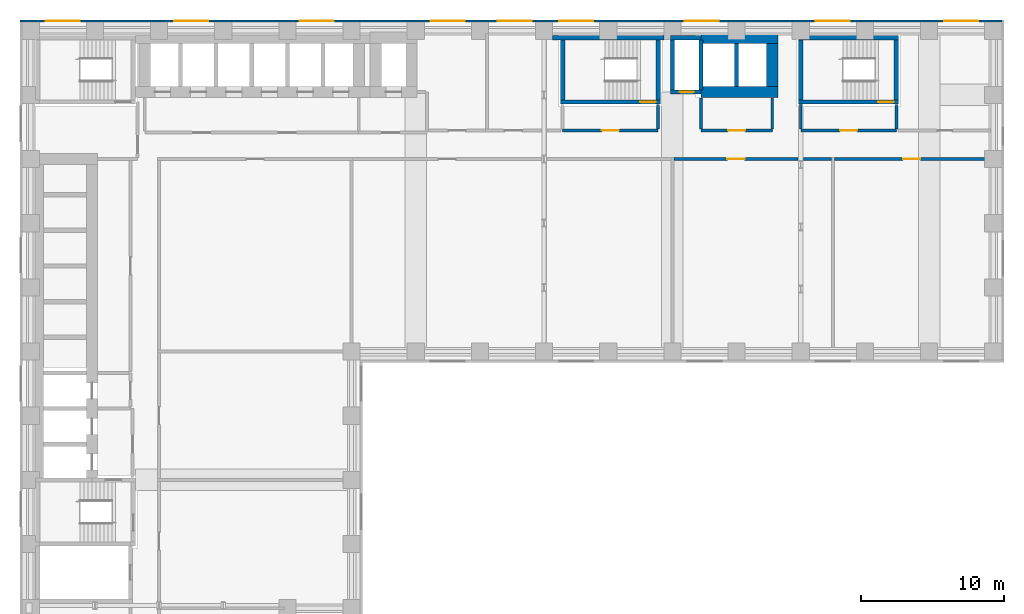
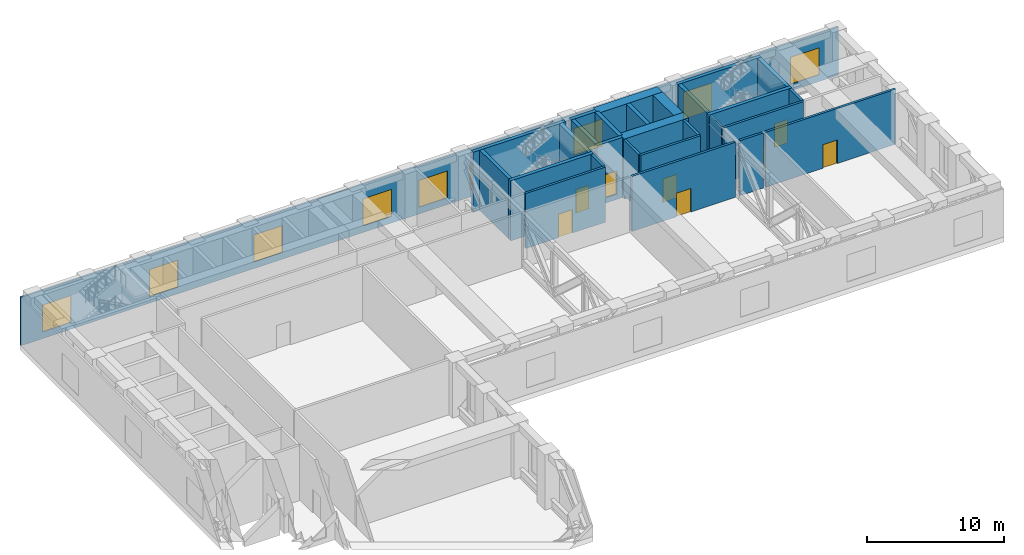
# One storey, part 8 of 13: 28 walls, 9 windows, 8 doors, 17 openings.
"""IFC4 building model written with IfcOpenShell, lengths in metres."""

from ifc_helpers import new_model, si_unit, direction, frame, frame_2d, origin, place, context, subcontext, project, spatial, rectangle, extrude, material, layer, layer_set, type_object, element, fill, save


model = new_model("IFC4")

# Units and contexts
model_context = context("Model", 3, precision=1e-05, world=origin(), true_north=direction((0.0, 1.0)))
body_context = subcontext(model_context, "Body", "Model", "MODEL_VIEW")
ifc_project = project(units=[si_unit("LENGTHUNIT", "METRE"), si_unit("AREAUNIT", "SQUARE_METRE"), si_unit("VOLUMEUNIT", "CUBIC_METRE"), si_unit("PLANEANGLEUNIT", "RADIAN"), si_unit("MASSUNIT", "GRAM", prefix="KILO")], contexts=[model_context])

# Site, building, storey
site_placement = place(None, origin())
site = spatial("IfcSite", under=ifc_project, at=site_placement, CompositionType="ELEMENT")
building_placement = place(site_placement, origin())
building = spatial("IfcBuilding", under=site, at=building_placement, Name="Firuza Court", CompositionType="ELEMENT")
storey_placement = place(building_placement, frame((0.0, 0.0, 108.199951171875)))
storey = spatial("IfcBuildingStorey", under=building, at=storey_placement, Name="L27", CompositionType="ELEMENT", Elevation=108.199951171875)

# Wall
ifc_material_1 = material(Name="Concrete C60/75", Category="concrete")
ifc_layer_1 = layer(ifc_material_1, 0.300048828125)
ifc_layer_set_1 = layer_set([ifc_layer_1], Name="Concrete C60/75")
wall_type_1 = type_object("IfcWallType", Name="Core wall 300 C60/75", PredefinedType="SHEAR", material=ifc_layer_set_1)
wall_1_placement = place(storey_placement, frame((36.60009765625, 58.0, -0.449951171875), z_axis=(0.0, 0.0, 1.0), x_axis=(1.0, 0.0, 0.0)))
element("IfcWall", 1, at=wall_1_placement, inside=storey, type_object=wall_type_1, Name="Core wall stair L27", PredefinedType="SHEAR", context=body_context, shape_type="SweptSolid", body=[
    extrude(rectangle(XDim=7.7998046875, YDim=0.300048828125, at=frame_2d((3.89990234375, 0.0))), origin(), (0.0, 0.0, 1.0), 5.35009765625),
])

# Wall, opening, door
wall_2_placement = place(storey_placement, frame((37.14990234375, 53.5, -0.449951171875), z_axis=(0.0, 0.0, 1.0), x_axis=(1.0, 0.0, 0.0)))
wall_2 = element("IfcWall", 2, at=wall_2_placement, inside=storey, type_object=wall_type_1, Name="Core wall stair L27", PredefinedType="SHEAR", context=body_context, shape_type="SweptSolid", body=[
    extrude(rectangle(XDim=7.0, YDim=0.300048828125, at=frame_2d((3.5, 0.0))), origin(), (0.0, 0.0, 1.0), 5.35009765625),
])
opening_1_placement = place(wall_2_placement, frame((5.580078125, 0.0, 0.449951171875)))
opening_1 = element("IfcOpeningElement", 3, at=opening_1_placement, cuts=wall_2, Name="Opening D27013", PredefinedType="OPENING", context=body_context, shape_type="SweptSolid", body=[
    extrude(rectangle(XDim=1.10009765625, YDim=2.10009765625, at=frame_2d((0.550048828125, 1.050048828125))), frame((0.0, 0.162109375, 0.0), z_axis=(0.0, -1.0, 0.0), x_axis=(1.0, 0.0, 0.0)), (0.0, 0.0, 1.0), 0.323974609375),
])
ifc_material_2 = material(Name="Timber door leaf in hardwood frame", Category="wood")
door_type_1 = type_object("IfcDoorType", Name="Stair door 1100", OperationType="SINGLE_SWING_LEFT", PredefinedType="DOOR", material=ifc_material_2)
door_1_placement = place(opening_1_placement, origin())
door_1 = element("IfcDoor", 4, at=door_1_placement, inside=storey, type_object=door_type_1, Name="Stair door S1", OperationType="SINGLE_SWING_RIGHT", OverallHeight=2.10009765625, OverallWidth=1.10009765625, PredefinedType="DOOR", context=body_context, shape_type="SweptSolid", body=[
    extrude(rectangle(XDim=1.10009765625, YDim=2.10009765625, at=frame_2d((0.550048828125, 1.050048828125))), frame((0.0, 0.02490234375, 0.0), z_axis=(0.0, -1.0, 0.0), x_axis=(1.0, 0.0, 0.0)), (0.0, 0.0, 1.0), 0.050048828125),
])
fill(opening_1, door_1)

# Walls
for number, where, z_axis, x_axis, name in (
    (5, (37.300048828125, 53.64990234375, -0.449951171875), (0.0, 0.0, 1.0), (0.0, 1.0, 0.0), "Core wall stair L27"),
    (6, (44.0, 53.64990234375, -0.449951171875), (0.0, 0.0, 1.0), (0.0, 1.0, 0.0), "Core wall stair L27"),
):
    element("IfcWall", number, at=place(storey_placement, frame(where, z_axis=z_axis, x_axis=x_axis)), inside=storey, type_object=wall_type_1, Name=name, PredefinedType="SHEAR", context=body_context, shape_type="SweptSolid", body=[
        extrude(rectangle(XDim=4.2001953125, YDim=0.300048828125, at=frame_2d((2.10009765625, 0.0))), origin(), (0.0, 0.0, 1.0), 5.35009765625),
    ])

# Wall, opening, door
wall_3_placement = place(storey_placement, frame((44.85009765625, 54.199951171875, -0.449951171875), z_axis=(0.0, 0.0, 1.0), x_axis=(1.0, 0.0, 0.0)))
wall_3 = element("IfcWall", 7, at=wall_3_placement, inside=storey, type_object=wall_type_1, Name="Core wall riser L27", PredefinedType="SHEAR", context=body_context, shape_type="SweptSolid", body=[
    extrude(rectangle(XDim=2.14990234375, YDim=0.300048828125, at=frame_2d((1.074951171875, 0.0))), origin(), (0.0, 0.0, 1.0), 5.35009765625),
])
opening_2_placement = place(wall_3_placement, frame((0.64990234375, 0.0, 0.449951171875)))
opening_2 = element("IfcOpeningElement", 8, at=opening_2_placement, cuts=wall_3, Name="Opening D27011", PredefinedType="OPENING", context=body_context, shape_type="SweptSolid", body=[
    extrude(rectangle(XDim=1.0, YDim=2.10009765625, at=frame_2d((0.5, 1.050048828125))), frame((0.0, 0.162109375, 0.0), z_axis=(0.0, -1.0, 0.0), x_axis=(1.0, 0.0, 0.0)), (0.0, 0.0, 1.0), 0.323974609375),
])
ifc_material_3 = material(Name="Timber door leaf in hardwood frame", Category="wood")
door_type_2 = type_object("IfcDoorType", Name="Riser door 1000", OperationType="SINGLE_SWING_LEFT", PredefinedType="DOOR", material=ifc_material_3)
door_2_placement = place(opening_2_placement, frame((1.0, 0.0, 0.0), z_axis=(0.0, 0.0, 1.0), x_axis=(-1.0, 0.0, 0.0)))
door_2 = element("IfcDoor", 9, at=door_2_placement, inside=storey, type_object=door_type_2, Name="Riser door R3", OperationType="SINGLE_SWING_RIGHT", OverallHeight=2.10009765625, OverallWidth=1.0, PredefinedType="DOOR", context=body_context, shape_type="SweptSolid", body=[
    extrude(rectangle(XDim=1.0, YDim=2.10009765625, at=frame_2d((0.5, 1.050048828125))), frame((0.0, 0.02490234375, 0.0), z_axis=(0.0, -1.0, 0.0), x_axis=(1.0, 0.0, 0.0)), (0.0, 0.0, 1.0), 0.050048828125),
])
fill(opening_2, door_2)

# Walls
wall_4_placement = place(storey_placement, frame((44.85009765625, 58.0, -0.449951171875), z_axis=(0.0, 0.0, 1.0), x_axis=(1.0, 0.0, 0.0)))
element("IfcWall", 10, at=wall_4_placement, inside=storey, type_object=wall_type_1, Name="Core wall riser L27", PredefinedType="SHEAR", context=body_context, shape_type="SweptSolid", body=[
    extrude(rectangle(XDim=2.14990234375, YDim=0.300048828125, at=frame_2d((1.074951171875, 0.0))), origin(), (0.0, 0.0, 1.0), 5.35009765625),
])
for number, where, z_axis, x_axis, name in (
    (11, (45.0, 54.35009765625, -0.449951171875), (0.0, 0.0, 1.0), (0.0, 1.0, 0.0), "Core wall riser L27"),
    (12, (47.0, 54.35009765625, -0.449951171875), (0.0, 0.0, 1.0), (0.0, 1.0, 0.0), "Core wall lift shaft L27"),
):
    element("IfcWall", number, at=place(storey_placement, frame(where, z_axis=z_axis, x_axis=x_axis)), inside=storey, type_object=wall_type_1, Name=name, PredefinedType="SHEAR", context=body_context, shape_type="SweptSolid", body=[
        extrude(rectangle(XDim=3.5, YDim=0.300048828125, at=frame_2d((1.75, 0.0))), origin(), (0.0, 0.0, 1.0), 5.35009765625),
    ])
wall_5_placement = place(storey_placement, frame((49.5, 54.60009765625, -0.449951171875), z_axis=(0.0, 0.0, 1.0), x_axis=(0.0, 1.0, 0.0)))
element("IfcWall", 13, at=wall_5_placement, inside=storey, type_object=wall_type_1, Name="Core wall lift shaft L27", PredefinedType="SHEAR", context=body_context, shape_type="SweptSolid", body=[
    extrude(rectangle(XDim=3.0, YDim=0.300048828125, at=frame_2d((1.5, 0.0))), origin(), (0.0, 0.0, 1.0), 5.35009765625),
])

# Wall, opening, door
wall_6_placement = place(storey_placement, frame((53.85009765625, 53.5, -0.449951171875), z_axis=(0.0, 0.0, 1.0), x_axis=(1.0, 0.0, 0.0)))
wall_6 = element("IfcWall", 14, at=wall_6_placement, inside=storey, type_object=wall_type_1, Name="Core wall stair L27", PredefinedType="SHEAR", context=body_context, shape_type="SweptSolid", body=[
    extrude(rectangle(XDim=7.0, YDim=0.300048828125, at=frame_2d((3.5, 0.0))), origin(), (0.0, 0.0, 1.0), 5.35009765625),
])
opening_3_placement = place(wall_6_placement, frame((5.580078125, 0.0, 0.449951171875)))
opening_3 = element("IfcOpeningElement", 15, at=opening_3_placement, cuts=wall_6, Name="Opening D27017", PredefinedType="OPENING", context=body_context, shape_type="SweptSolid", body=[
    extrude(rectangle(XDim=1.10009765625, YDim=2.10009765625, at=frame_2d((0.550048828125, 1.050048828125))), frame((0.0, 0.162109375, 0.0), z_axis=(0.0, -1.0, 0.0), x_axis=(1.0, 0.0, 0.0)), (0.0, 0.0, 1.0), 0.323974609375),
])
door_3_placement = place(opening_3_placement, origin())
door_3 = element("IfcDoor", 16, at=door_3_placement, inside=storey, type_object=door_type_1, Name="Stair door S4", OperationType="SINGLE_SWING_RIGHT", OverallHeight=2.10009765625, OverallWidth=1.10009765625, PredefinedType="DOOR", context=body_context, shape_type="SweptSolid", body=[
    extrude(rectangle(XDim=1.10009765625, YDim=2.10009765625, at=frame_2d((0.550048828125, 1.050048828125))), frame((0.0, 0.02490234375, 0.0), z_axis=(0.0, -1.0, 0.0), x_axis=(1.0, 0.0, 0.0)), (0.0, 0.0, 1.0), 0.050048828125),
])
fill(opening_3, door_3)

# Walls
wall_7_placement = place(storey_placement, frame((53.85009765625, 58.0, -0.449951171875), z_axis=(0.0, 0.0, 1.0), x_axis=(1.0, 0.0, 0.0)))
element("IfcWall", 17, at=wall_7_placement, inside=storey, type_object=wall_type_1, Name="Core wall stair L27", PredefinedType="SHEAR", context=body_context, shape_type="SweptSolid", body=[
    extrude(rectangle(XDim=7.0, YDim=0.300048828125, at=frame_2d((3.5, 0.0))), origin(), (0.0, 0.0, 1.0), 5.35009765625),
])
for number, where, z_axis, x_axis, name in (
    (18, (54.0, 53.64990234375, -0.449951171875), (0.0, 0.0, 1.0), (0.0, 1.0, 0.0), "Core wall stair L27"),
    (19, (60.699951171875, 53.64990234375, -0.449951171875), (0.0, 0.0, 1.0), (0.0, 1.0, 0.0), "Core wall stair L27"),
):
    element("IfcWall", number, at=place(storey_placement, frame(where, z_axis=z_axis, x_axis=x_axis)), inside=storey, type_object=wall_type_1, Name=name, PredefinedType="SHEAR", context=body_context, shape_type="SweptSolid", body=[
        extrude(rectangle(XDim=4.2001953125, YDim=0.300048828125, at=frame_2d((2.10009765625, 0.0))), origin(), (0.0, 0.0, 1.0), 5.35009765625),
    ])
ifc_layer_2 = layer(ifc_material_1, 0.800048828125)
ifc_layer_set_2 = layer_set([ifc_layer_2], Name="Concrete C60/75")
wall_type_2 = type_object("IfcWallType", Name="Core wall 800 C60/75", PredefinedType="SHEAR", material=ifc_layer_set_2)
for number, where, z_axis, x_axis, name in (
    (20, (47.0, 54.199951171875, -0.449951171875), (0.0, 0.0, 1.0), (1.0, 0.0, 0.0), "Core wall lift shaft L27"),
    (21, (47.0, 58.0, -0.449951171875), (0.0, 0.0, 1.0), (1.0, 0.0, 0.0), "Core wall lift shaft L27"),
):
    element("IfcWall", number, at=place(storey_placement, frame(where, z_axis=z_axis, x_axis=x_axis)), inside=storey, type_object=wall_type_2, Name=name, PredefinedType="SHEAR", context=body_context, shape_type="SweptSolid", body=[
        extrude(rectangle(XDim=5.39990234375, YDim=0.800048828125, at=frame_2d((2.699951171875, 0.0))), origin(), (0.0, 0.0, 1.0), 5.35009765625),
    ])
wall_8_placement = place(storey_placement, frame((52.0, 54.60009765625, -0.449951171875), z_axis=(0.0, 0.0, 1.0), x_axis=(0.0, 1.0, 0.0)))
element("IfcWall", 22, at=wall_8_placement, inside=storey, type_object=wall_type_2, Name="Core wall lift shaft L27", PredefinedType="SHEAR", context=body_context, shape_type="SweptSolid", body=[
    extrude(rectangle(XDim=3.0, YDim=0.800048828125, at=frame_2d((1.5, 0.0))), origin(), (0.0, 0.0, 1.0), 5.35009765625),
])

# Wall, opening, door
ifc_material_4 = material(Name="Blockwork, fire-rated", Category="masonry")
ifc_layer_3 = layer(ifc_material_4, 0.199951171875)
ifc_layer_set_3 = layer_set([ifc_layer_3], Name="Blockwork, fire-rated")
wall_type_3 = type_object("IfcWallType", Name="Plant room wall 200", PredefinedType="PARTITIONING", material=ifc_layer_set_3)
wall_9_placement = place(storey_placement, frame((45.10009765625, 49.5, 0.0), z_axis=(0.0, 0.0, 1.0), x_axis=(1.0, 0.0, 0.0)))
wall_9 = element("IfcWall", 23, at=wall_9_placement, inside=storey, type_object=wall_type_3, Name="Plant room wall 200 L27", PredefinedType="PARTITIONING", context=body_context, shape_type="SweptSolid", body=[
    extrude(rectangle(XDim=8.70751953125, YDim=0.199951171875, at=frame_2d((4.353759765625, 0.0))), origin(), (0.0, 0.0, 1.0), 4.900146484375),
])
opening_4_placement = place(wall_9_placement, frame((3.753662109375, 0.0, 0.0)))
opening_4 = element("IfcOpeningElement", 24, at=opening_4_placement, cuts=wall_9, Name="Opening D27029", PredefinedType="OPENING", context=body_context, shape_type="SweptSolid", body=[
    extrude(rectangle(XDim=1.199951171875, YDim=2.10009765625, at=frame_2d((0.60009765625, 1.050048828125))), frame((0.0, 0.11181640625, 0.0), z_axis=(0.0, -1.0, 0.0), x_axis=(1.0, 0.0, 0.0)), (0.0, 0.0, 1.0), 0.223876953125),
])
ifc_material_5 = material(Name="Timber door leaf in hardwood frame", Category="wood")
door_type_3 = type_object("IfcDoorType", Name="Plant room door 1200", OperationType="SINGLE_SWING_LEFT", PredefinedType="DOOR", material=ifc_material_5)
door_4_placement = place(opening_4_placement, frame((1.199951171875, 0.0, 0.0), z_axis=(0.0, 0.0, 1.0), x_axis=(-1.0, 0.0, 0.0)))
door_4 = element("IfcDoor", 25, at=door_4_placement, inside=storey, type_object=door_type_3, Name="Plant door", OperationType="SINGLE_SWING_RIGHT", OverallHeight=2.10009765625, OverallWidth=1.199951171875, PredefinedType="DOOR", context=body_context, shape_type="SweptSolid", body=[
    extrude(rectangle(XDim=1.199951171875, YDim=2.10009765625, at=frame_2d((0.60009765625, 1.050048828125))), frame((0.0, 0.02490234375, 0.0), z_axis=(0.0, -1.0, 0.0), x_axis=(1.0, 0.0, 0.0)), (0.0, 0.0, 1.0), 0.050048828125),
])
fill(opening_4, door_4)

# Wall
wall_10_placement = place(storey_placement, frame((54.1923828125, 49.5, 0.0), z_axis=(0.0, 0.0, 1.0), x_axis=(1.0, 0.0, 0.0)))
element("IfcWall", 26, at=wall_10_placement, inside=storey, type_object=wall_type_3, Name="Plant room wall 200 L27", PredefinedType="PARTITIONING", context=body_context, shape_type="SweptSolid", body=[
    extrude(rectangle(XDim=1.95751953125, YDim=0.199951171875, at=frame_2d((0.978759765625, 0.0))), origin(), (0.0, 0.0, 1.0), 4.900146484375),
])

# Wall, opening, door
wall_11_placement = place(storey_placement, frame((56.35009765625, 49.5, 0.0), z_axis=(0.0, 0.0, 1.0), x_axis=(1.0, 0.0, 0.0)))
wall_11 = element("IfcWall", 27, at=wall_11_placement, inside=storey, type_object=wall_type_3, Name="Plant room wall 200 L27", PredefinedType="PARTITIONING", context=body_context, shape_type="SweptSolid", body=[
    extrude(rectangle(XDim=10.95849609375, YDim=0.199951171875, at=frame_2d((5.479248046875, 0.0))), origin(), (0.0, 0.0, 1.0), 4.900146484375),
])
opening_5_placement = place(wall_11_placement, frame((4.8291015625, 0.0, 0.0)))
opening_5 = element("IfcOpeningElement", 28, at=opening_5_placement, cuts=wall_11, Name="Opening D27030", PredefinedType="OPENING", context=body_context, shape_type="SweptSolid", body=[
    extrude(rectangle(XDim=1.199951171875, YDim=2.10009765625, at=frame_2d((0.60009765625, 1.050048828125))), frame((0.0, 0.11181640625, 0.0), z_axis=(0.0, -1.0, 0.0), x_axis=(1.0, 0.0, 0.0)), (0.0, 0.0, 1.0), 0.223876953125),
])
door_5_placement = place(opening_5_placement, frame((1.199951171875, 0.0, 0.0), z_axis=(0.0, 0.0, 1.0), x_axis=(-1.0, 0.0, 0.0)))
door_5 = element("IfcDoor", 29, at=door_5_placement, inside=storey, type_object=door_type_3, Name="Plant door", OperationType="SINGLE_SWING_RIGHT", OverallHeight=2.10009765625, OverallWidth=1.199951171875, PredefinedType="DOOR", context=body_context, shape_type="SweptSolid", body=[
    extrude(rectangle(XDim=1.199951171875, YDim=2.10009765625, at=frame_2d((0.60009765625, 1.050048828125))), frame((0.0, 0.02490234375, 0.0), z_axis=(0.0, -1.0, 0.0), x_axis=(1.0, 0.0, 0.0)), (0.0, 0.0, 1.0), 0.050048828125),
])
fill(opening_5, door_5)

# Wall, openings, windows
ifc_material_6 = material(Name="Ceramic tile", Category="ceramic")
ifc_layer_4 = layer(ifc_material_6, 0.02001953125)
ifc_material_7 = material(Name="Mineral wool insulation", Category="insulation")
ifc_layer_5 = layer(ifc_material_7, 0.050048828125)
ifc_material_8 = material(Name="Concrete C40/50 precast", Category="concrete")
ifc_layer_6 = layer(ifc_material_8, 0.080078125)
ifc_layer_set_4 = layer_set([ifc_layer_4, ifc_layer_5, ifc_layer_6], Name="Concrete C40/50 precast")
wall_type_4 = type_object("IfcWallType", Name="Precast cladding wall with turquoise TILE PANEL face 150", PredefinedType="STANDARD", material=ifc_layer_set_4)
wall_12_placement = place(storey_placement, frame((68.10009765625, 59.175048828125, 0.0), z_axis=(0.0, 0.0, 1.0), x_axis=(-1.0, 0.0, 0.0)))
wall_12 = element("IfcWall", 30, at=wall_12_placement, inside=storey, type_object=wall_type_4, Name="Facade wall L27 N", PredefinedType="STANDARD", context=body_context, shape_type="SweptSolid", body=[
    extrude(rectangle(XDim=68.85009765625, YDim=0.14990234375, at=frame_2d((34.425048828125, 0.0))), origin(), (0.0, 0.0, 1.0), 4.300048828125),
])
opening_6_placement = place(wall_12_placement, frame((1.64990234375, 0.0, 0.60009765625)))
opening_6 = element("IfcOpeningElement", 31, at=opening_6_placement, cuts=wall_12, Name="Opening LV2", PredefinedType="OPENING", context=body_context, shape_type="SweptSolid", body=[
    extrude(rectangle(XDim=2.39990234375, YDim=2.39990234375, at=frame_2d((1.199951171875, 1.199951171875))), frame((0.0, 0.0869140625, 0.0), z_axis=(0.0, -1.0, 0.0), x_axis=(1.0, 0.0, 0.0)), (0.0, 0.0, 1.0), 0.173828125),
])
opening_7_placement = place(wall_12_placement, frame((10.64990234375, 0.0, 0.60009765625)))
opening_7 = element("IfcOpeningElement", 32, at=opening_7_placement, cuts=wall_12, Name="Opening LV2", PredefinedType="OPENING", context=body_context, shape_type="SweptSolid", body=[
    extrude(rectangle(XDim=2.39990234375, YDim=2.39990234375, at=frame_2d((1.199951171875, 1.199951171875))), frame((0.0, 0.0869140625, 0.0), z_axis=(0.0, -1.0, 0.0), x_axis=(1.0, 0.0, 0.0)), (0.0, 0.0, 1.0), 0.173828125),
])
opening_8_placement = place(wall_12_placement, frame((19.85009765625, 0.0, 0.60009765625)))
opening_8 = element("IfcOpeningElement", 33, at=opening_8_placement, cuts=wall_12, Name="Opening LV2", PredefinedType="OPENING", context=body_context, shape_type="SweptSolid", body=[
    extrude(rectangle(XDim=2.39990234375, YDim=2.39990234375, at=frame_2d((1.199951171875, 1.199951171875))), frame((0.0, 0.0869140625, 0.0), z_axis=(0.0, -1.0, 0.0), x_axis=(1.0, 0.0, 0.0)), (0.0, 0.0, 1.0), 0.173828125),
])
opening_9_placement = place(wall_12_placement, frame((28.64990234375, 0.0, 0.60009765625)))
opening_9 = element("IfcOpeningElement", 34, at=opening_9_placement, cuts=wall_12, Name="Opening LV2", PredefinedType="OPENING", context=body_context, shape_type="SweptSolid", body=[
    extrude(rectangle(XDim=2.39990234375, YDim=2.39990234375, at=frame_2d((1.199951171875, 1.199951171875))), frame((0.0, 0.0869140625, 0.0), z_axis=(0.0, -1.0, 0.0), x_axis=(1.0, 0.0, 0.0)), (0.0, 0.0, 1.0), 0.173828125),
])
opening_10_placement = place(wall_12_placement, frame((32.949951171875, 0.0, 0.60009765625)))
opening_10 = element("IfcOpeningElement", 35, at=opening_10_placement, cuts=wall_12, Name="Opening LV2", PredefinedType="OPENING", context=body_context, shape_type="SweptSolid", body=[
    extrude(rectangle(XDim=2.39990234375, YDim=2.39990234375, at=frame_2d((1.199951171875, 1.199951171875))), frame((0.0, 0.0869140625, 0.0), z_axis=(0.0, -1.0, 0.0), x_axis=(1.0, 0.0, 0.0)), (0.0, 0.0, 1.0), 0.173828125),
])
opening_11_placement = place(wall_12_placement, frame((37.64990234375, 0.0, 0.60009765625)))
opening_11 = element("IfcOpeningElement", 36, at=opening_11_placement, cuts=wall_12, Name="Opening LV2", PredefinedType="OPENING", context=body_context, shape_type="SweptSolid", body=[
    extrude(rectangle(XDim=2.39990234375, YDim=2.39990234375, at=frame_2d((1.199951171875, 1.199951171875))), frame((0.0, 0.0869140625, 0.0), z_axis=(0.0, -1.0, 0.0), x_axis=(1.0, 0.0, 0.0)), (0.0, 0.0, 1.0), 0.173828125),
])
opening_12_placement = place(wall_12_placement, frame((46.85009765625, 0.0, 0.60009765625)))
opening_12 = element("IfcOpeningElement", 37, at=opening_12_placement, cuts=wall_12, Name="Opening LV2", PredefinedType="OPENING", context=body_context, shape_type="SweptSolid", body=[
    extrude(rectangle(XDim=2.39990234375, YDim=2.39990234375, at=frame_2d((1.199951171875, 1.199951171875))), frame((0.0, 0.0869140625, 0.0), z_axis=(0.0, -1.0, 0.0), x_axis=(1.0, 0.0, 0.0)), (0.0, 0.0, 1.0), 0.173828125),
])
opening_13_placement = place(wall_12_placement, frame((55.64990234375, 0.0, 0.60009765625)))
opening_13 = element("IfcOpeningElement", 38, at=opening_13_placement, cuts=wall_12, Name="Opening LV2", PredefinedType="OPENING", context=body_context, shape_type="SweptSolid", body=[
    extrude(rectangle(XDim=2.39990234375, YDim=2.39990234375, at=frame_2d((1.199951171875, 1.199951171875))), frame((0.0, 0.0869140625, 0.0), z_axis=(0.0, -1.0, 0.0), x_axis=(1.0, 0.0, 0.0)), (0.0, 0.0, 1.0), 0.173828125),
])
opening_14_placement = place(wall_12_placement, frame((64.64990234375, 0.0, 0.60009765625)))
opening_14 = element("IfcOpeningElement", 39, at=opening_14_placement, cuts=wall_12, Name="Opening LV2", PredefinedType="OPENING", context=body_context, shape_type="SweptSolid", body=[
    extrude(rectangle(XDim=2.39990234375, YDim=2.39990234375, at=frame_2d((1.199951171875, 1.199951171875))), frame((0.0, 0.0869140625, 0.0), z_axis=(0.0, -1.0, 0.0), x_axis=(1.0, 0.0, 0.0)), (0.0, 0.0, 1.0), 0.173828125),
])
ifc_material_9 = material(Name="Aluminium weather louvre with insect mesh", Category="aluminium")
window_type = type_object("IfcWindowType", Name="Plant louvre 2400 x 2400", PartitioningType="SINGLE_PANEL", PredefinedType="USERDEFINED", material=ifc_material_9)
window_1_placement = place(opening_6_placement, origin())
window_1 = element("IfcWindow", 40, at=window_1_placement, inside=storey, type_object=window_type, Name="Louvre L27", ObjectType="LOUVRE", OverallHeight=2.39990234375, OverallWidth=2.39990234375, PartitioningType="SINGLE_PANEL", PredefinedType="USERDEFINED", context=body_context, shape_type="SweptSolid", body=[
    extrude(rectangle(XDim=2.39990234375, YDim=2.39990234375, at=frame_2d((1.199951171875, 1.199951171875))), frame((0.0, 0.030029296875, 0.0), z_axis=(0.0, -1.0, 0.0), x_axis=(1.0, 0.0, 0.0)), (0.0, 0.0, 1.0), 0.06005859375),
])
fill(opening_6, window_1)
window_2_placement = place(opening_7_placement, origin())
window_2 = element("IfcWindow", 41, at=window_2_placement, inside=storey, type_object=window_type, Name="Louvre L27", ObjectType="LOUVRE", OverallHeight=2.39990234375, OverallWidth=2.39990234375, PartitioningType="SINGLE_PANEL", PredefinedType="USERDEFINED", context=body_context, shape_type="SweptSolid", body=[
    extrude(rectangle(XDim=2.39990234375, YDim=2.39990234375, at=frame_2d((1.199951171875, 1.199951171875))), frame((0.0, 0.030029296875, 0.0), z_axis=(0.0, -1.0, 0.0), x_axis=(1.0, 0.0, 0.0)), (0.0, 0.0, 1.0), 0.06005859375),
])
fill(opening_7, window_2)
window_3_placement = place(opening_8_placement, origin())
window_3 = element("IfcWindow", 42, at=window_3_placement, inside=storey, type_object=window_type, Name="Louvre L27", ObjectType="LOUVRE", OverallHeight=2.39990234375, OverallWidth=2.39990234375, PartitioningType="SINGLE_PANEL", PredefinedType="USERDEFINED", context=body_context, shape_type="SweptSolid", body=[
    extrude(rectangle(XDim=2.39990234375, YDim=2.39990234375, at=frame_2d((1.199951171875, 1.199951171875))), frame((0.0, 0.030029296875, 0.0), z_axis=(0.0, -1.0, 0.0), x_axis=(1.0, 0.0, 0.0)), (0.0, 0.0, 1.0), 0.06005859375),
])
fill(opening_8, window_3)
window_4_placement = place(opening_9_placement, origin())
window_4 = element("IfcWindow", 43, at=window_4_placement, inside=storey, type_object=window_type, Name="Louvre L27", ObjectType="LOUVRE", OverallHeight=2.39990234375, OverallWidth=2.39990234375, PartitioningType="SINGLE_PANEL", PredefinedType="USERDEFINED", context=body_context, shape_type="SweptSolid", body=[
    extrude(rectangle(XDim=2.39990234375, YDim=2.39990234375, at=frame_2d((1.199951171875, 1.199951171875))), frame((0.0, 0.030029296875, 0.0), z_axis=(0.0, -1.0, 0.0), x_axis=(1.0, 0.0, 0.0)), (0.0, 0.0, 1.0), 0.06005859375),
])
fill(opening_9, window_4)
window_5_placement = place(opening_10_placement, origin())
window_5 = element("IfcWindow", 44, at=window_5_placement, inside=storey, type_object=window_type, Name="Louvre L27", ObjectType="LOUVRE", OverallHeight=2.39990234375, OverallWidth=2.39990234375, PartitioningType="SINGLE_PANEL", PredefinedType="USERDEFINED", context=body_context, shape_type="SweptSolid", body=[
    extrude(rectangle(XDim=2.39990234375, YDim=2.39990234375, at=frame_2d((1.199951171875, 1.199951171875))), frame((0.0, 0.030029296875, 0.0), z_axis=(0.0, -1.0, 0.0), x_axis=(1.0, 0.0, 0.0)), (0.0, 0.0, 1.0), 0.06005859375),
])
fill(opening_10, window_5)
window_6_placement = place(opening_11_placement, origin())
window_6 = element("IfcWindow", 45, at=window_6_placement, inside=storey, type_object=window_type, Name="Louvre L27", ObjectType="LOUVRE", OverallHeight=2.39990234375, OverallWidth=2.39990234375, PartitioningType="SINGLE_PANEL", PredefinedType="USERDEFINED", context=body_context, shape_type="SweptSolid", body=[
    extrude(rectangle(XDim=2.39990234375, YDim=2.39990234375, at=frame_2d((1.199951171875, 1.199951171875))), frame((0.0, 0.030029296875, 0.0), z_axis=(0.0, -1.0, 0.0), x_axis=(1.0, 0.0, 0.0)), (0.0, 0.0, 1.0), 0.06005859375),
])
fill(opening_11, window_6)
window_7_placement = place(opening_12_placement, origin())
window_7 = element("IfcWindow", 46, at=window_7_placement, inside=storey, type_object=window_type, Name="Louvre L27", ObjectType="LOUVRE", OverallHeight=2.39990234375, OverallWidth=2.39990234375, PartitioningType="SINGLE_PANEL", PredefinedType="USERDEFINED", context=body_context, shape_type="SweptSolid", body=[
    extrude(rectangle(XDim=2.39990234375, YDim=2.39990234375, at=frame_2d((1.199951171875, 1.199951171875))), frame((0.0, 0.030029296875, 0.0), z_axis=(0.0, -1.0, 0.0), x_axis=(1.0, 0.0, 0.0)), (0.0, 0.0, 1.0), 0.06005859375),
])
fill(opening_12, window_7)
window_8_placement = place(opening_13_placement, origin())
window_8 = element("IfcWindow", 47, at=window_8_placement, inside=storey, type_object=window_type, Name="Louvre L27", ObjectType="LOUVRE", OverallHeight=2.39990234375, OverallWidth=2.39990234375, PartitioningType="SINGLE_PANEL", PredefinedType="USERDEFINED", context=body_context, shape_type="SweptSolid", body=[
    extrude(rectangle(XDim=2.39990234375, YDim=2.39990234375, at=frame_2d((1.199951171875, 1.199951171875))), frame((0.0, 0.030029296875, 0.0), z_axis=(0.0, -1.0, 0.0), x_axis=(1.0, 0.0, 0.0)), (0.0, 0.0, 1.0), 0.06005859375),
])
fill(opening_13, window_8)
window_9_placement = place(opening_14_placement, origin())
window_9 = element("IfcWindow", 48, at=window_9_placement, inside=storey, type_object=window_type, Name="Louvre L27", ObjectType="LOUVRE", OverallHeight=2.39990234375, OverallWidth=2.39990234375, PartitioningType="SINGLE_PANEL", PredefinedType="USERDEFINED", context=body_context, shape_type="SweptSolid", body=[
    extrude(rectangle(XDim=2.39990234375, YDim=2.39990234375, at=frame_2d((1.199951171875, 1.199951171875))), frame((0.0, 0.030029296875, 0.0), z_axis=(0.0, -1.0, 0.0), x_axis=(1.0, 0.0, 0.0)), (0.0, 0.0, 1.0), 0.06005859375),
])
fill(opening_14, window_9)

# Wall, opening, door
ifc_layer_7 = layer(ifc_material_4, 0.199951171875)
ifc_layer_set_5 = layer_set([ifc_layer_7], Name="Blockwork, fire-rated")
wall_type_5 = type_object("IfcWallType", Name="Shaft wall 200", PredefinedType="PARTITIONING", material=ifc_layer_set_5)
wall_13_placement = place(storey_placement, frame((47.0, 51.5, 0.0), z_axis=(0.0, 0.0, 1.0), x_axis=(1.0, 0.0, 0.0)))
wall_13 = element("IfcWall", 49, at=wall_13_placement, inside=storey, type_object=wall_type_5, Name="Shaft wall 200 L27", PredefinedType="PARTITIONING", context=body_context, shape_type="SweptSolid", body=[
    extrude(rectangle(XDim=5.0, YDim=0.199951171875, at=frame_2d((2.5, 0.0))), origin(), (0.0, 0.0, 1.0), 4.900146484375),
])
opening_15_placement = place(wall_13_placement, frame((1.89990234375, 0.0, 0.0)))
opening_15 = element("IfcOpeningElement", 50, at=opening_15_placement, cuts=wall_13, Name="Opening D27009", PredefinedType="OPENING", context=body_context, shape_type="SweptSolid", body=[
    extrude(rectangle(XDim=1.199951171875, YDim=2.10009765625, at=frame_2d((0.60009765625, 1.050048828125))), frame((0.0, 0.11181640625, 0.0), z_axis=(0.0, -1.0, 0.0), x_axis=(1.0, 0.0, 0.0)), (0.0, 0.0, 1.0), 0.223876953125),
])
ifc_material_10 = material(Name="Timber door leaf in hardwood frame", Category="wood")
door_type_4 = type_object("IfcDoorType", Name="Lobby door 1200", OperationType="SINGLE_SWING_LEFT", PredefinedType="DOOR", material=ifc_material_10)
door_6_placement = place(opening_15_placement, origin())
door_6 = element("IfcDoor", 51, at=door_6_placement, inside=storey, type_object=door_type_4, Name="Lobby door", OperationType="SINGLE_SWING_LEFT", OverallHeight=2.10009765625, OverallWidth=1.199951171875, PredefinedType="DOOR", context=body_context, shape_type="SweptSolid", body=[
    extrude(rectangle(XDim=1.199951171875, YDim=2.10009765625, at=frame_2d((0.60009765625, 1.050048828125))), frame((0.0, 0.02490234375, 0.0), z_axis=(0.0, -1.0, 0.0), x_axis=(1.0, 0.0, 0.0)), (0.0, 0.0, 1.0), 0.050048828125),
])
fill(opening_15, door_6)

# Walls
for number, where, z_axis, x_axis, name in (
    (52, (52.0, 51.60009765625, 0.0), (0.0, 0.0, 1.0), (0.0, 1.0, 0.0), "Shaft wall 200 L27"),
    (53, (47.0, 51.60009765625, 0.0), (0.0, 0.0, 1.0), (0.0, 1.0, 0.0), "Shaft wall 200 L27"),
):
    element("IfcWall", number, at=place(storey_placement, frame(where, z_axis=z_axis, x_axis=x_axis)), inside=storey, type_object=wall_type_5, Name=name, PredefinedType="PARTITIONING", context=body_context, shape_type="SweptSolid", body=[
        extrude(rectangle(XDim=2.179931640625, YDim=0.199951171875, at=frame_2d((1.08984375, 0.0))), origin(), (0.0, 0.0, 1.0), 4.900146484375),
    ])

# Wall, opening, door
wall_14_placement = place(storey_placement, frame((37.300048828125, 51.5, 0.0), z_axis=(0.0, 0.0, 1.0), x_axis=(1.0, 0.0, 0.0)))
wall_14 = element("IfcWall", 54, at=wall_14_placement, inside=storey, type_object=wall_type_5, Name="Shaft wall 200 L27", PredefinedType="PARTITIONING", context=body_context, shape_type="SweptSolid", body=[
    extrude(rectangle(XDim=6.699951171875, YDim=0.199951171875, at=frame_2d((3.35009765625, 0.0))), origin(), (0.0, 0.0, 1.0), 4.900146484375),
])
opening_16_placement = place(wall_14_placement, frame((2.75, 0.0, 0.0)))
opening_16 = element("IfcOpeningElement", 55, at=opening_16_placement, cuts=wall_14, Name="Opening D27006", PredefinedType="OPENING", context=body_context, shape_type="SweptSolid", body=[
    extrude(rectangle(XDim=1.199951171875, YDim=2.10009765625, at=frame_2d((0.60009765625, 1.050048828125))), frame((0.0, 0.11181640625, 0.0), z_axis=(0.0, -1.0, 0.0), x_axis=(1.0, 0.0, 0.0)), (0.0, 0.0, 1.0), 0.223876953125),
])
door_7_placement = place(opening_16_placement, origin())
door_7 = element("IfcDoor", 56, at=door_7_placement, inside=storey, type_object=door_type_4, Name="Lobby door", OperationType="SINGLE_SWING_LEFT", OverallHeight=2.10009765625, OverallWidth=1.199951171875, PredefinedType="DOOR", context=body_context, shape_type="SweptSolid", body=[
    extrude(rectangle(XDim=1.199951171875, YDim=2.10009765625, at=frame_2d((0.60009765625, 1.050048828125))), frame((0.0, 0.02490234375, 0.0), z_axis=(0.0, -1.0, 0.0), x_axis=(1.0, 0.0, 0.0)), (0.0, 0.0, 1.0), 0.050048828125),
])
fill(opening_16, door_7)

# Wall
wall_15_placement = place(storey_placement, frame((44.0, 51.60009765625, 0.0), z_axis=(0.0, 0.0, 1.0), x_axis=(0.0, 1.0, 0.0)))
element("IfcWall", 57, at=wall_15_placement, inside=storey, type_object=wall_type_5, Name="Shaft wall 200 L27", PredefinedType="PARTITIONING", context=body_context, shape_type="SweptSolid", body=[
    extrude(rectangle(XDim=1.72998046875, YDim=0.199951171875, at=frame_2d((0.864990234375, 0.0))), origin(), (0.0, 0.0, 1.0), 4.900146484375),
])

# Wall, opening, door
wall_16_placement = place(storey_placement, frame((54.0, 51.5, 0.0), z_axis=(0.0, 0.0, 1.0), x_axis=(1.0, 0.0, 0.0)))
wall_16 = element("IfcWall", 58, at=wall_16_placement, inside=storey, type_object=wall_type_5, Name="Shaft wall 200 L27", PredefinedType="PARTITIONING", context=body_context, shape_type="SweptSolid", body=[
    extrude(rectangle(XDim=6.699951171875, YDim=0.199951171875, at=frame_2d((3.35009765625, 0.0))), origin(), (0.0, 0.0, 1.0), 4.900146484375),
])
opening_17_placement = place(wall_16_placement, frame((2.75, 0.0, 0.0)))
opening_17 = element("IfcOpeningElement", 59, at=opening_17_placement, cuts=wall_16, Name="Opening D27007", PredefinedType="OPENING", context=body_context, shape_type="SweptSolid", body=[
    extrude(rectangle(XDim=1.199951171875, YDim=2.10009765625, at=frame_2d((0.60009765625, 1.050048828125))), frame((0.0, 0.11181640625, 0.0), z_axis=(0.0, -1.0, 0.0), x_axis=(1.0, 0.0, 0.0)), (0.0, 0.0, 1.0), 0.223876953125),
])
door_8_placement = place(opening_17_placement, origin())
door_8 = element("IfcDoor", 60, at=door_8_placement, inside=storey, type_object=door_type_4, Name="Lobby door", OperationType="SINGLE_SWING_LEFT", OverallHeight=2.10009765625, OverallWidth=1.199951171875, PredefinedType="DOOR", context=body_context, shape_type="SweptSolid", body=[
    extrude(rectangle(XDim=1.199951171875, YDim=2.10009765625, at=frame_2d((0.60009765625, 1.050048828125))), frame((0.0, 0.02490234375, 0.0), z_axis=(0.0, -1.0, 0.0), x_axis=(1.0, 0.0, 0.0)), (0.0, 0.0, 1.0), 0.050048828125),
])
fill(opening_17, door_8)

# Walls
for number, where, z_axis, x_axis, name in (
    (61, (60.699951171875, 51.60009765625, 0.0), (0.0, 0.0, 1.0), (0.0, 1.0, 0.0), "Shaft wall 200 L27"),
    (62, (54.0, 51.60009765625, 0.0), (0.0, 0.0, 1.0), (0.0, 1.0, 0.0), "Shaft wall 200 L27"),
):
    element("IfcWall", number, at=place(storey_placement, frame(where, z_axis=z_axis, x_axis=x_axis)), inside=storey, type_object=wall_type_5, Name=name, PredefinedType="PARTITIONING", context=body_context, shape_type="SweptSolid", body=[
        extrude(rectangle(XDim=1.72998046875, YDim=0.199951171875, at=frame_2d((0.864990234375, 0.0))), origin(), (0.0, 0.0, 1.0), 4.900146484375),
    ])

save(model, "model.ifc")
